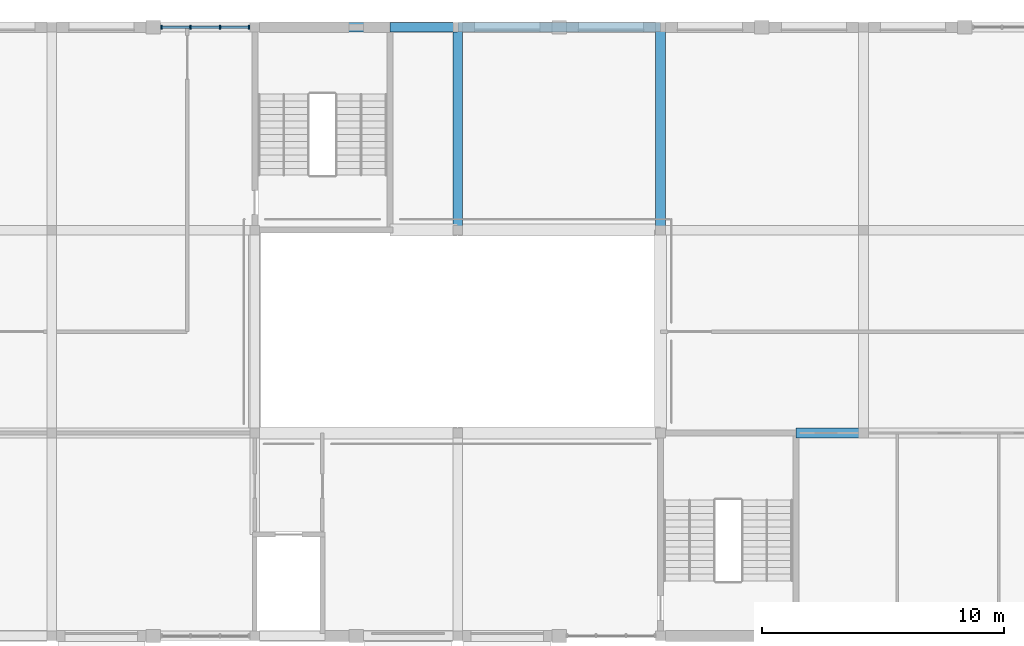
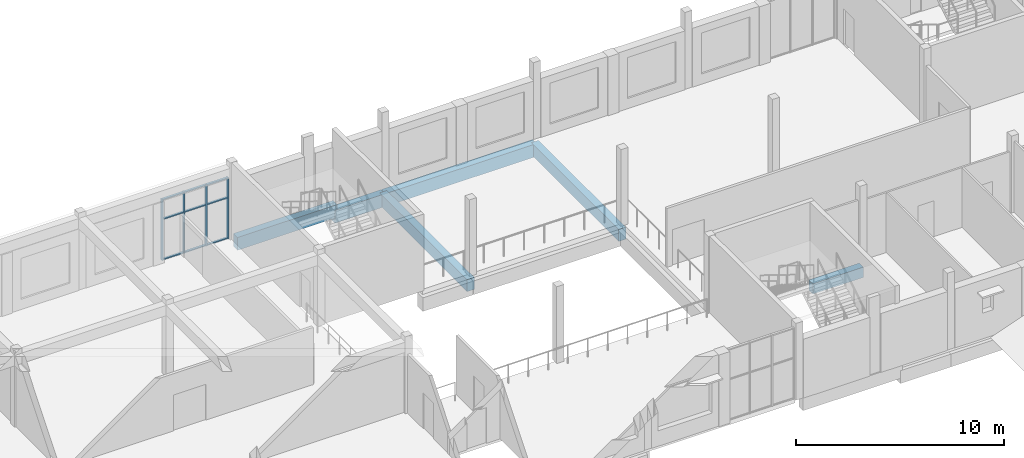
# One storey, part 16 of 38: 13 members, 6 beams, 1 element without a shape of its own.
"""IFC4 building model written with IfcOpenShell, lengths in metres."""

from ifc_helpers import new_model, si_unit, direction, frame, origin, origin_2d, place, context, subcontext, project, spatial, rectangle, extrude, material, material_profile, profile_set, type_object, element, aggregate, save


model = new_model("IFC4")

# Units and contexts
model_context = context("Model", 3, precision=1e-05, world=origin(), true_north=direction((0.0, 1.0)))
body_context = subcontext(model_context, "Body", "Model", "MODEL_VIEW")
ifc_project = project(units=[si_unit("LENGTHUNIT", "METRE"), si_unit("AREAUNIT", "SQUARE_METRE"), si_unit("VOLUMEUNIT", "CUBIC_METRE"), si_unit("PLANEANGLEUNIT", "RADIAN"), si_unit("MASSUNIT", "GRAM", prefix="KILO")], contexts=[model_context])

# Site, building, storey
site_placement = place(None, origin())
site = spatial("IfcSite", under=ifc_project, at=site_placement, CompositionType="ELEMENT")
building_placement = place(site_placement, origin())
building = spatial("IfcBuilding", under=site, at=building_placement, Name="Fescue Hill Polytechnic", CompositionType="ELEMENT")
storey_placement = place(building_placement, frame((0.0, 0.0, 18.0)))
storey = spatial("IfcBuildingStorey", under=building, at=storey_placement, Name="L04", CompositionType="ELEMENT", Elevation=18.0)

# Beams
ifc_material_1 = material(Name="Concrete 35 MPa", Category="concrete")
ifc_material_profile_1 = material_profile(ifc_material_1, rectangle(XDim=0.39990234375, YDim=0.60009765625, at=origin_2d()), Name="RC 400x600")
ifc_profile_set_1 = profile_set([ifc_material_profile_1], Name="Concrete 35 MPa")
beam_type_1 = type_object("IfcBeamType", Name="Beam RC 400x600", PredefinedType="BEAM", material=ifc_profile_set_1)
beam_1_placement = place(storey_placement, frame((98.0, 117.60009765625, -0.60009765625), z_axis=(1.0, 0.0, 0.0), x_axis=(0.0, 1.0, 0.0)))
element("IfcBeam", 1, at=beam_1_placement, inside=storey, type_object=beam_type_1, Name="BM-L04-0108", PredefinedType="BEAM", context=body_context, shape_type="SweptSolid", body=[
    extrude(rectangle(XDim=0.39990234375, YDim=0.60009765625, at=origin_2d()), origin(), (0.0, 0.0, 1.0), 2.800048828125),
])
ifc_material_profile_2 = material_profile(ifc_material_1, rectangle(XDim=0.39990234375, YDim=0.699951171875, at=origin_2d()), Name="RC 400x700")
ifc_profile_set_2 = profile_set([ifc_material_profile_2], Name="Concrete 35 MPa")
beam_type_2 = type_object("IfcBeamType", Name="Beam RC 400x700", PredefinedType="BEAM", material=ifc_profile_set_2)
for number, where, z_axis, x_axis, name in (
    (2, (84.0, 126.0, -0.64990234375), (0.0, 1.0, 0.0), (-1.0, 0.0, 0.0), "BM-L04-0099"),
    (3, (92.39990234375, 126.0, -0.64990234375), (0.0, 1.0, 0.0), (-1.0, 0.0, 0.0), "BM-L04-0104"),
):
    element("IfcBeam", number, at=place(storey_placement, frame(where, z_axis=z_axis, x_axis=x_axis)), inside=storey, type_object=beam_type_2, Name=name, PredefinedType="BEAM", context=body_context, shape_type="SweptSolid", body=[
        extrude(rectangle(XDim=0.39990234375, YDim=0.699951171875, at=origin_2d()), origin(), (0.0, 0.0, 1.0), 8.39990234375),
    ])
ifc_material_profile_3 = material_profile(ifc_material_1, rectangle(XDim=0.39990234375, YDim=0.75, at=origin_2d()), Name="RC 400x750")
ifc_profile_set_3 = profile_set([ifc_material_profile_3], Name="Concrete 35 MPa")
beam_type_3 = type_object("IfcBeamType", Name="Beam RC 400x750", PredefinedType="BEAM", material=ifc_profile_set_3)
beam_2_placement = place(storey_placement, frame((81.199951171875, 134.39990234375, -0.675048828125), z_axis=(1.0, 0.0, 0.0), x_axis=(0.0, 1.0, 0.0)))
element("IfcBeam", 4, at=beam_2_placement, inside=storey, type_object=beam_type_3, Name="BM-L04-0097", PredefinedType="BEAM", context=body_context, shape_type="SweptSolid", body=[
    extrude(rectangle(XDim=0.39990234375, YDim=0.75, at=origin_2d()), origin(), (0.0, 0.0, 1.0), 2.7900390625),
])
beam_3_placement = place(storey_placement, frame((84.010009765625, 134.39990234375, -0.675048828125), z_axis=(1.0, 0.0, 0.0), x_axis=(0.0, 1.0, 0.0)))
element("IfcBeam", 5, at=beam_3_placement, inside=storey, type_object=beam_type_3, Name="BM-L04-0102", PredefinedType="BEAM", context=body_context, shape_type="SweptSolid", body=[
    extrude(rectangle(XDim=0.39990234375, YDim=0.75, at=origin_2d()), origin(), (0.0, 0.0, 1.0), 8.3798828125),
])
beam_4_placement = place(storey_placement, frame((75.800048828125, 134.39990234375, -0.375), z_axis=(1.0, 0.0, 0.0), x_axis=(0.0, 1.0, 0.0)))
element("IfcBeam", 6, at=beam_4_placement, inside=storey, type_object=beam_type_3, Name="BM-L04-0131", PredefinedType="BEAM", context=body_context, shape_type="SweptSolid", body=[
    extrude(rectangle(XDim=0.39990234375, YDim=0.75, at=origin_2d()), origin(), (0.0, 0.0, 1.0), 5.52490234375),
])

# Curtain wall, members
ifc_material_2 = material(Name="Glass", Category="glass")
curtain_wall_type = type_object("IfcCurtainWallType", Name="Curtain wall structural glazing", PredefinedType="NOTDEFINED", material=ifc_material_2)
curtain_wall_placement = place(storey_placement, origin())
curtain_wall = element("IfcCurtainWall", 7, at=curtain_wall_placement, inside=storey, type_object=curtain_wall_type, Name="CW-L04-V4b-X3", PredefinedType="NOTDEFINED")
ifc_material_3 = material(Name="Powder-coated aluminium", Category="aluminium")
ifc_material_profile_4 = material_profile(ifc_material_3, rectangle(XDim=0.159912109375, YDim=0.06005859375, at=origin_2d()), Name="Mullion aluminium 60x160")
ifc_profile_set_4 = profile_set([ifc_material_profile_4], Name="Powder-coated aluminium")
member_type_1 = type_object("IfcMemberType", Name="Mullion aluminium 60x160", PredefinedType="MULLION", material=ifc_profile_set_4)
member_1_placement = place(storey_placement, frame((75.3701171875, 134.39990234375, 0.0), z_axis=(0.0, 0.0, 1.0), x_axis=(0.0, -1.0, 0.0)))
member_1 = element("IfcMember", 8, at=member_1_placement, type_object=member_type_1, Name="CW175 mullion 1", PredefinedType="MULLION", context=body_context, shape_type="SweptSolid", body=[
    extrude(rectangle(XDim=0.159912109375, YDim=0.06005859375, at=origin_2d()), origin(), (0.0, 0.0, 1.0), 3.580078125),
])
member_2_placement = place(storey_placement, frame((74.166748046875, 134.39990234375, 0.0), z_axis=(0.0, 0.0, 1.0), x_axis=(0.0, -1.0, 0.0)))
member_2 = element("IfcMember", 9, at=member_2_placement, type_object=member_type_1, Name="CW175 mullion 2", PredefinedType="MULLION", context=body_context, shape_type="SweptSolid", body=[
    extrude(rectangle(XDim=0.159912109375, YDim=0.06005859375, at=origin_2d()), origin(), (0.0, 0.0, 1.0), 3.580078125),
])
member_3_placement = place(storey_placement, frame((72.933349609375, 134.39990234375, 0.0), z_axis=(0.0, 0.0, 1.0), x_axis=(0.0, -1.0, 0.0)))
member_3 = element("IfcMember", 10, at=member_3_placement, type_object=member_type_1, Name="CW175 mullion 3", PredefinedType="MULLION", context=body_context, shape_type="SweptSolid", body=[
    extrude(rectangle(XDim=0.159912109375, YDim=0.06005859375, at=origin_2d()), origin(), (0.0, 0.0, 1.0), 3.580078125),
])
member_4_placement = place(storey_placement, frame((71.72998046875, 134.39990234375, 0.0), z_axis=(0.0, 0.0, 1.0), x_axis=(0.0, -1.0, 0.0)))
member_4 = element("IfcMember", 11, at=member_4_placement, type_object=member_type_1, Name="CW175 mullion 4", PredefinedType="MULLION", context=body_context, shape_type="SweptSolid", body=[
    extrude(rectangle(XDim=0.159912109375, YDim=0.06005859375, at=origin_2d()), origin(), (0.0, 0.0, 1.0), 3.580078125),
])
ifc_material_profile_5 = material_profile(ifc_material_3, rectangle(XDim=0.1201171875, YDim=0.06005859375, at=origin_2d()), Name="Transom aluminium 60x120")
ifc_profile_set_5 = profile_set([ifc_material_profile_5], Name="Powder-coated aluminium")
member_type_2 = type_object("IfcMemberType", Name="Transom aluminium 60x120", PredefinedType="USERDEFINED", material=ifc_profile_set_5)
member_5_placement = place(storey_placement, frame((75.340087890625, 134.39990234375, 0.030029296875), z_axis=(-1.0, 0.0, 0.0), x_axis=(0.0, -1.0, 0.0)))
member_5 = element("IfcMember", 12, at=member_5_placement, type_object=member_type_2, Name="CW175 transom 1.1", ObjectType="TRANSOM", PredefinedType="USERDEFINED", context=body_context, shape_type="SweptSolid", body=[
    extrude(rectangle(XDim=0.1201171875, YDim=0.06005859375, at=origin_2d()), origin(), (0.0, 0.0, 1.0), 1.143310546875),
])
member_6_placement = place(storey_placement, frame((75.340087890625, 134.39990234375, 2.39990234375), z_axis=(-1.0, 0.0, 0.0), x_axis=(0.0, -1.0, 0.0)))
member_6 = element("IfcMember", 13, at=member_6_placement, type_object=member_type_2, Name="CW175 transom 1.2", ObjectType="TRANSOM", PredefinedType="USERDEFINED", context=body_context, shape_type="SweptSolid", body=[
    extrude(rectangle(XDim=0.1201171875, YDim=0.06005859375, at=origin_2d()), origin(), (0.0, 0.0, 1.0), 1.143310546875),
])
member_7_placement = place(storey_placement, frame((75.340087890625, 134.39990234375, 3.550048828125), z_axis=(-1.0, 0.0, 0.0), x_axis=(0.0, -1.0, 0.0)))
member_7 = element("IfcMember", 14, at=member_7_placement, type_object=member_type_2, Name="CW175 transom 1.3", ObjectType="TRANSOM", PredefinedType="USERDEFINED", context=body_context, shape_type="SweptSolid", body=[
    extrude(rectangle(XDim=0.1201171875, YDim=0.06005859375, at=origin_2d()), origin(), (0.0, 0.0, 1.0), 1.143310546875),
])
member_8_placement = place(storey_placement, frame((74.13671875, 134.39990234375, 0.030029296875), z_axis=(-1.0, 0.0, 0.0), x_axis=(0.0, -1.0, 0.0)))
member_8 = element("IfcMember", 15, at=member_8_placement, type_object=member_type_2, Name="CW175 transom 2.1", ObjectType="TRANSOM", PredefinedType="USERDEFINED", context=body_context, shape_type="SweptSolid", body=[
    extrude(rectangle(XDim=0.1201171875, YDim=0.06005859375, at=origin_2d()), origin(), (0.0, 0.0, 1.0), 1.17333984375),
])
member_9_placement = place(storey_placement, frame((74.13671875, 134.39990234375, 2.39990234375), z_axis=(-1.0, 0.0, 0.0), x_axis=(0.0, -1.0, 0.0)))
member_9 = element("IfcMember", 16, at=member_9_placement, type_object=member_type_2, Name="CW175 transom 2.2", ObjectType="TRANSOM", PredefinedType="USERDEFINED", context=body_context, shape_type="SweptSolid", body=[
    extrude(rectangle(XDim=0.1201171875, YDim=0.06005859375, at=origin_2d()), origin(), (0.0, 0.0, 1.0), 1.17333984375),
])
member_10_placement = place(storey_placement, frame((74.13671875, 134.39990234375, 3.550048828125), z_axis=(-1.0, 0.0, 0.0), x_axis=(0.0, -1.0, 0.0)))
member_10 = element("IfcMember", 17, at=member_10_placement, type_object=member_type_2, Name="CW175 transom 2.3", ObjectType="TRANSOM", PredefinedType="USERDEFINED", context=body_context, shape_type="SweptSolid", body=[
    extrude(rectangle(XDim=0.1201171875, YDim=0.06005859375, at=origin_2d()), origin(), (0.0, 0.0, 1.0), 1.17333984375),
])
member_11_placement = place(storey_placement, frame((72.9033203125, 134.39990234375, 0.030029296875), z_axis=(-1.0, 0.0, 0.0), x_axis=(0.0, -1.0, 0.0)))
member_11 = element("IfcMember", 18, at=member_11_placement, type_object=member_type_2, Name="CW175 transom 3.1", ObjectType="TRANSOM", PredefinedType="USERDEFINED", context=body_context, shape_type="SweptSolid", body=[
    extrude(rectangle(XDim=0.1201171875, YDim=0.06005859375, at=origin_2d()), origin(), (0.0, 0.0, 1.0), 1.143310546875),
])
member_12_placement = place(storey_placement, frame((72.9033203125, 134.39990234375, 2.39990234375), z_axis=(-1.0, 0.0, 0.0), x_axis=(0.0, -1.0, 0.0)))
member_12 = element("IfcMember", 19, at=member_12_placement, type_object=member_type_2, Name="CW175 transom 3.2", ObjectType="TRANSOM", PredefinedType="USERDEFINED", context=body_context, shape_type="SweptSolid", body=[
    extrude(rectangle(XDim=0.1201171875, YDim=0.06005859375, at=origin_2d()), origin(), (0.0, 0.0, 1.0), 1.143310546875),
])
member_13_placement = place(storey_placement, frame((72.9033203125, 134.39990234375, 3.550048828125), z_axis=(-1.0, 0.0, 0.0), x_axis=(0.0, -1.0, 0.0)))
member_13 = element("IfcMember", 20, at=member_13_placement, type_object=member_type_2, Name="CW175 transom 3.3", ObjectType="TRANSOM", PredefinedType="USERDEFINED", context=body_context, shape_type="SweptSolid", body=[
    extrude(rectangle(XDim=0.1201171875, YDim=0.06005859375, at=origin_2d()), origin(), (0.0, 0.0, 1.0), 1.143310546875),
])
aggregate(curtain_wall, [member_1, member_2, member_3, member_4, member_5, member_6, member_7, member_8, member_9, member_10, member_11, member_12, member_13])

save(model, "model.ifc")
